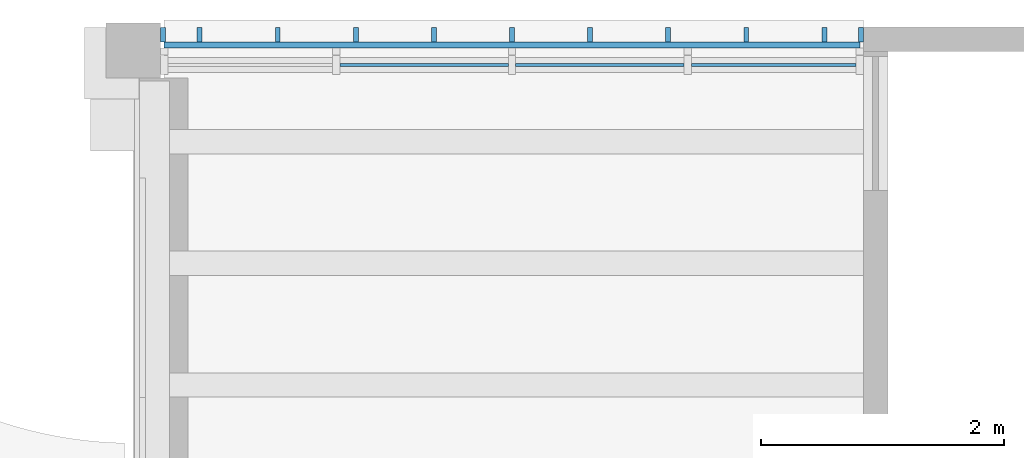
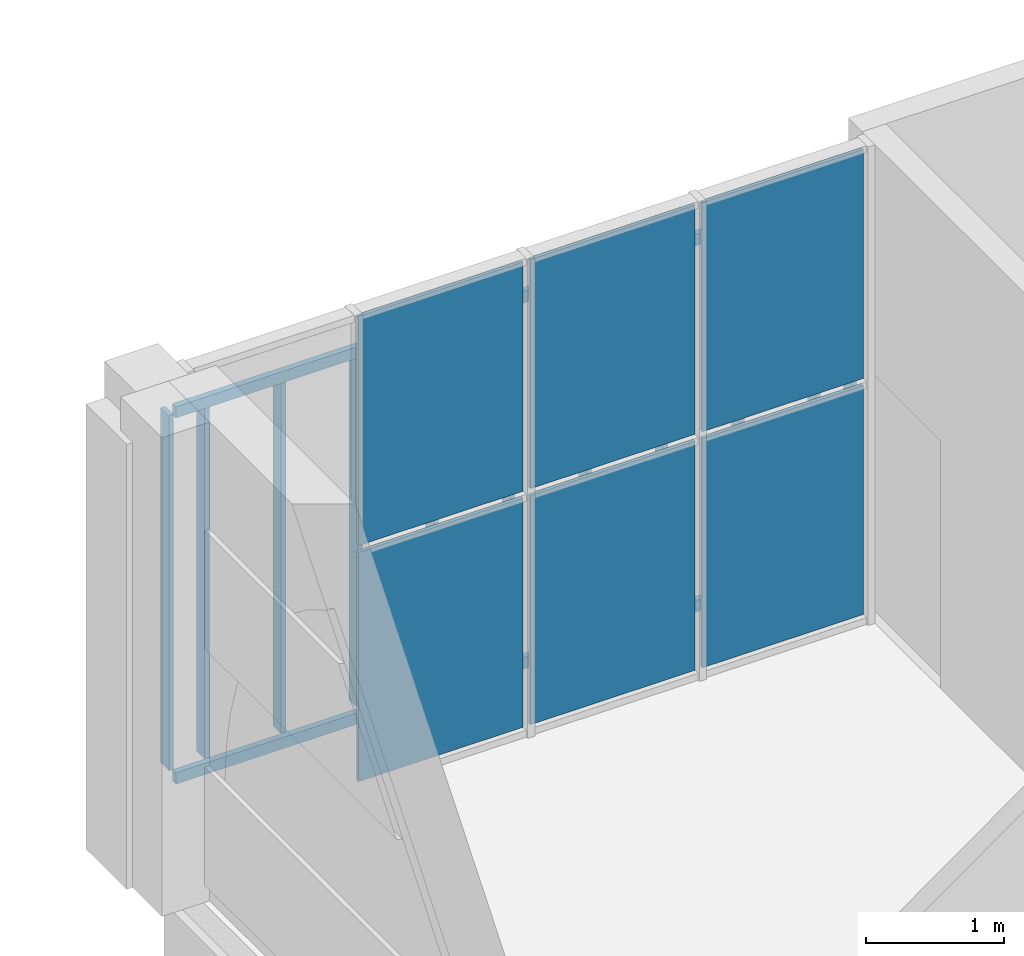
# One storey, part 23 of 70: 19 plates, 1 element without a shape of its own.
"""IFC4 building model written with IfcOpenShell, lengths in metres."""

from ifc_helpers import new_model, si_unit, direction, frame, origin, origin_2d, place, context, subcontext, project, spatial, rectangle, extrude, material, layer, layer_set, type_object, element, aggregate, save


model = new_model("IFC4")

# Units and contexts
model_context = context("Model", 3, precision=1e-05, world=origin(), true_north=direction((0.0, 1.0)))
body_context = subcontext(model_context, "Body", "Model", "MODEL_VIEW")
ifc_project = project(units=[si_unit("LENGTHUNIT", "METRE"), si_unit("AREAUNIT", "SQUARE_METRE"), si_unit("VOLUMEUNIT", "CUBIC_METRE"), si_unit("PLANEANGLEUNIT", "RADIAN"), si_unit("MASSUNIT", "GRAM", prefix="KILO")], contexts=[model_context])

# Site, building, storey
site_placement = place(None, origin())
site = spatial("IfcSite", under=ifc_project, at=site_placement, CompositionType="ELEMENT")
building_placement = place(site_placement, origin())
building = spatial("IfcBuilding", under=site, at=building_placement, Name="Saffron Lane Theatres", CompositionType="ELEMENT")
storey_placement = place(building_placement, frame((0.0, 0.0, 12.0)))
storey = spatial("IfcBuildingStorey", under=building, at=storey_placement, Name="L02", CompositionType="ELEMENT", Elevation=12.0)

# Curtain wall, plates
ifc_material_1 = material(Name="Aluminium", Category="aluminium")
curtain_wall_type = type_object("IfcCurtainWallType", Name="EX-CURTAIN WALL 5770x4250x160", PredefinedType="NOTDEFINED", material=ifc_material_1)
curtain_wall_placement = place(storey_placement, origin())
curtain_wall = element("IfcCurtainWall", 1, at=curtain_wall_placement, inside=storey, type_object=curtain_wall_type, Name="Curtain wall L02 03", PredefinedType="NOTDEFINED")
ifc_material_2 = material(Name="Glass", Category="glass")
ifc_layer_1 = layer(ifc_material_2, 0.028076171875)
ifc_layer_set_1 = layer_set([ifc_layer_1], Name="Glass")
plate_type_1 = type_object("IfcPlateType", Name="EX-CW PANEL GLAZING 28", PredefinedType="CURTAIN_PANEL", material=ifc_layer_set_1)
plate_1_placement = place(storey_placement, frame((56.390625, 125.6298828125, 0.06005859375), z_axis=(0.0, 0.0, 1.0), x_axis=(1.0, 0.0, 0.0)))
plate_1 = element("IfcPlate", 2, at=plate_1_placement, type_object=plate_type_1, Name="CW-02-03 panel 2.1", PredefinedType="CURTAIN_PANEL", context=body_context, shape_type="SweptSolid", body=[
    extrude(rectangle(XDim=1.3837890625, YDim=0.028076171875, at=origin_2d()), origin(), (0.0, 0.0, 1.0), 2.034912109375),
])
plate_2_placement = place(storey_placement, frame((56.390625, 125.6298828125, 2.1552734375), z_axis=(0.0, 0.0, 1.0), x_axis=(1.0, 0.0, 0.0)))
plate_2 = element("IfcPlate", 3, at=plate_2_placement, type_object=plate_type_1, Name="CW-02-03 panel 2.2", PredefinedType="CURTAIN_PANEL", context=body_context, shape_type="SweptSolid", body=[
    extrude(rectangle(XDim=1.3837890625, YDim=0.028076171875, at=origin_2d()), origin(), (0.0, 0.0, 1.0), 2.034912109375),
])
plate_3_placement = place(storey_placement, frame((57.83447265625, 125.6298828125, 0.06005859375), z_axis=(0.0, 0.0, 1.0), x_axis=(1.0, 0.0, 0.0)))
plate_3 = element("IfcPlate", 4, at=plate_3_placement, type_object=plate_type_1, Name="CW-02-03 panel 3.1", PredefinedType="CURTAIN_PANEL", context=body_context, shape_type="SweptSolid", body=[
    extrude(rectangle(XDim=1.3837890625, YDim=0.028076171875, at=origin_2d()), origin(), (0.0, 0.0, 1.0), 2.034912109375),
])
plate_4_placement = place(storey_placement, frame((57.83447265625, 125.6298828125, 2.1552734375), z_axis=(0.0, 0.0, 1.0), x_axis=(1.0, 0.0, 0.0)))
plate_4 = element("IfcPlate", 5, at=plate_4_placement, type_object=plate_type_1, Name="CW-02-03 panel 3.2", PredefinedType="CURTAIN_PANEL", context=body_context, shape_type="SweptSolid", body=[
    extrude(rectangle(XDim=1.3837890625, YDim=0.028076171875, at=origin_2d()), origin(), (0.0, 0.0, 1.0), 2.034912109375),
])
plate_5_placement = place(storey_placement, frame((59.26318359375, 125.6298828125, 0.06005859375), z_axis=(0.0, 0.0, 1.0), x_axis=(1.0, 0.0, 0.0)))
plate_5 = element("IfcPlate", 6, at=plate_5_placement, type_object=plate_type_1, Name="CW-02-03 panel 4.1", PredefinedType="CURTAIN_PANEL", context=body_context, shape_type="SweptSolid", body=[
    extrude(rectangle(XDim=1.353759765625, YDim=0.028076171875, at=origin_2d()), origin(), (0.0, 0.0, 1.0), 2.034912109375),
])
plate_6_placement = place(storey_placement, frame((59.26318359375, 125.6298828125, 2.1552734375), z_axis=(0.0, 0.0, 1.0), x_axis=(1.0, 0.0, 0.0)))
plate_6 = element("IfcPlate", 7, at=plate_6_placement, type_object=plate_type_1, Name="CW-02-03 panel 4.2", PredefinedType="CURTAIN_PANEL", context=body_context, shape_type="SweptSolid", body=[
    extrude(rectangle(XDim=1.353759765625, YDim=0.028076171875, at=origin_2d()), origin(), (0.0, 0.0, 1.0), 2.034912109375),
])
aggregate(curtain_wall, [plate_1, plate_2, plate_3, plate_4, plate_5, plate_6])

# Plates
ifc_material_3 = material(Name="Aluminium", Category="aluminium")
ifc_layer_2 = layer(ifc_material_3, 0.050048828125)
ifc_layer_set_2 = layer_set([ifc_layer_2], Name="Aluminium")
plate_type_2 = type_object("IfcPlateType", Name="EX-LATTICE RAIL 50x100", PredefinedType="SHEET", material=ifc_layer_set_2)
for number, where, z_axis, x_axis, name in (
    (8, (57.112548828125, 125.794921875, 0.449951171875), (0.0, 0.0, 1.0), (1.0, 0.0, 0.0), "Lattice rail L02-02B"),
    (9, (57.112548828125, 125.794921875, 3.699951171875), (0.0, 0.0, 1.0), (1.0, 0.0, 0.0), "Lattice rail L02-02T"),
):
    element("IfcPlate", number, at=place(storey_placement, frame(where, z_axis=z_axis, x_axis=x_axis)), inside=storey, type_object=plate_type_2, Name=name, PredefinedType="SHEET", context=body_context, shape_type="SweptSolid", body=[
        extrude(rectangle(XDim=5.71484375, YDim=0.050048828125, at=origin_2d()), origin(), (0.0, 0.0, 1.0), 0.10009765625),
    ])
ifc_material_4 = material(Name="Aluminium", Category="aluminium")
ifc_layer_3 = layer(ifc_material_4, 0.0400390625)
ifc_layer_set_3 = layer_set([ifc_layer_3], Name="Aluminium")
plate_type_3 = type_object("IfcPlateType", Name="EX-LATTICE SLAT 40x120", PredefinedType="SHEET", material=ifc_layer_set_3)
for number, where, z_axis, x_axis, name in (
    (10, (54.5458984375, 125.8798828125, 0.550048828125), (0.0, 0.0, 1.0), (1.0, 0.0, 0.0), "Lattice slat L02-02.1"),
    (11, (55.1875, 125.8798828125, 0.550048828125), (0.0, 0.0, 1.0), (1.0, 0.0, 0.0), "Lattice slat L02-02.2"),
    (12, (55.829345703125, 125.8798828125, 0.550048828125), (0.0, 0.0, 1.0), (1.0, 0.0, 0.0), "Lattice slat L02-02.3"),
    (13, (56.470947265625, 125.8798828125, 0.550048828125), (0.0, 0.0, 1.0), (1.0, 0.0, 0.0), "Lattice slat L02-02.4"),
    (14, (57.112548828125, 125.8798828125, 0.550048828125), (0.0, 0.0, 1.0), (1.0, 0.0, 0.0), "Lattice slat L02-02.5"),
    (15, (57.754150390625, 125.8798828125, 0.550048828125), (0.0, 0.0, 1.0), (1.0, 0.0, 0.0), "Lattice slat L02-02.6"),
    (16, (58.395751953125, 125.8798828125, 0.550048828125), (0.0, 0.0, 1.0), (1.0, 0.0, 0.0), "Lattice slat L02-02.7"),
    (17, (59.03759765625, 125.8798828125, 0.550048828125), (0.0, 0.0, 1.0), (1.0, 0.0, 0.0), "Lattice slat L02-02.8"),
    (18, (59.67919921875, 125.8798828125, 0.550048828125), (0.0, 0.0, 1.0), (1.0, 0.0, 0.0), "Lattice slat L02-02.9"),
    (19, (54.2451171875, 125.8798828125, 0.550048828125), (0.0, 0.0, 1.0), (1.0, 0.0, 0.0), "Lattice end stile L02-02.E0"),
    (20, (59.97998046875, 125.8798828125, 0.550048828125), (0.0, 0.0, 1.0), (1.0, 0.0, 0.0), "Lattice end stile L02-02.E1"),
):
    element("IfcPlate", number, at=place(storey_placement, frame(where, z_axis=z_axis, x_axis=x_axis)), inside=storey, type_object=plate_type_3, Name=name, PredefinedType="SHEET", context=body_context, shape_type="SweptSolid", body=[
        extrude(rectangle(XDim=0.0400390625, YDim=0.1201171875, at=origin_2d()), origin(), (0.0, 0.0, 1.0), 3.14990234375),
    ])

save(model, "model.ifc")
